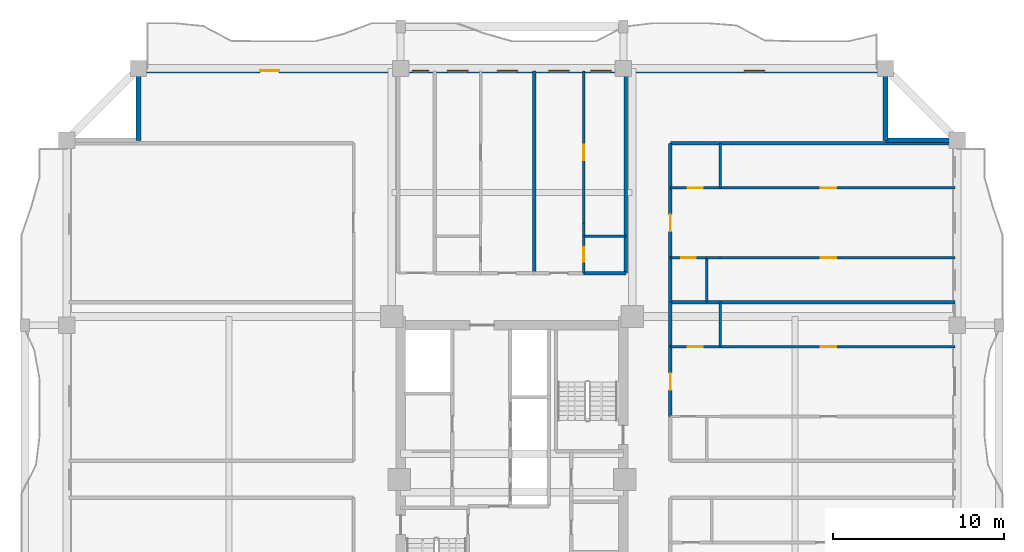
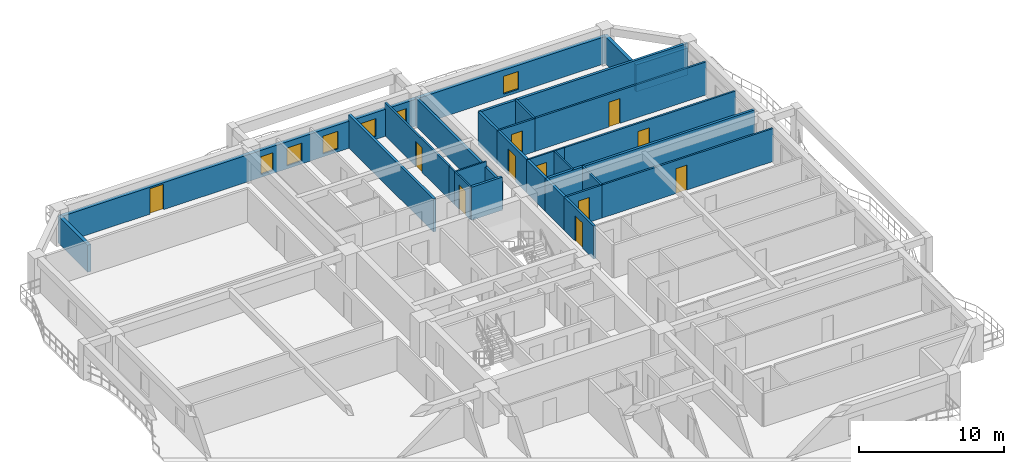
# One storey, part 6 of 12: 28 walls, 11 doors, 6 windows, 17 openings.
"""IFC4 building model written with IfcOpenShell, lengths in metres."""

import ifcopenshell
import ifcopenshell.guid

model = None  # the IFC model being written
_history = None  # IfcOwnerHistory: only IFC2X3 demands one
_inside = {}  # id of a spatial element -> (the spatial element, [elements in it])
_under = {}  # id of a project, library or spatial element -> (it, [spatial elements below it])
_declared = {}  # id of a project -> (the project, [libraries it declares])
_typed = {}  # id of a type object -> (the type object, [elements of that type])
_made_of = {}  # id of a material, layer set ... -> (it, [elements and type objects made of it])


def new_model(schema):
    """Start an empty IFC model of exactly this schema.

    Asked for "IFC4X3", IfcOpenShell would pick the latest addendum, in which some entities
    have other attributes; the version numbers below select the first issue.
    IFC2X3 requires an IfcOwnerHistory on every rooted entity: one is made here for all.
    """
    global model, _history
    if schema == "IFC4X3":
        model = ifcopenshell.file(schema_version=(4, 3, 0, 0))
    else:
        model = ifcopenshell.file(schema=schema)
    _inside.clear()
    _under.clear()
    _declared.clear()
    _typed.clear()
    _made_of.clear()
    _history = None
    if model.schema == "IFC2X3":
        org = make("IfcOrganization", Name="unknown")
        user = make(
            "IfcPersonAndOrganization",
            ThePerson=make("IfcPerson", FamilyName="unknown"),
            TheOrganization=org,
        )
        app = make(
            "IfcApplication",
            ApplicationDeveloper=org,
            Version="unknown",
            ApplicationFullName="unknown",
            ApplicationIdentifier="unknown",
        )
        _history = make(
            "IfcOwnerHistory",
            OwningUser=user,
            OwningApplication=app,
            ChangeAction="ADDED",
            CreationDate=0,
        )
    return model


def make(cls, **values):
    """One entity of the class cls with the attributes given. An attribute that is None is left unset."""
    return model.create_entity(
        cls, **{name: value for name, value in values.items() if value is not None}
    )


def rooted(cls, **values):
    """An entity with a GlobalId (a new one), such as an element, a storey or a relation."""
    return make(cls, GlobalId=ifcopenshell.guid.new(), OwnerHistory=_history, **values)


def si_unit(unit_type, name, prefix=None):
    """IfcSIUnit, for example si_unit("LENGTHUNIT", "METRE", prefix="MILLI")."""
    return make("IfcSIUnit", UnitType=unit_type, Prefix=prefix, Name=name)


def assignment(units):
    """IfcUnitAssignment: the units of a project."""
    return None if units is None else make("IfcUnitAssignment", Units=units)


def point(xyz):
    """IfcCartesianPoint."""
    return None if xyz is None else make("IfcCartesianPoint", Coordinates=xyz)


def direction(xyz):
    """IfcDirection."""
    return None if xyz is None else make("IfcDirection", DirectionRatios=xyz)


def frame(location, z_axis=None, x_axis=None):
    """IfcAxis2Placement3D, a coordinate frame: its origin and axes. An axis left out is left unset."""
    return make(
        "IfcAxis2Placement3D",
        Location=point(location),
        Axis=direction(z_axis),
        RefDirection=direction(x_axis),
    )


def frame_2d(location, x_axis=None):
    """IfcAxis2Placement2D, a coordinate frame in the plane: its origin and x axis."""
    return make(
        "IfcAxis2Placement2D", Location=point(location), RefDirection=direction(x_axis)
    )


def origin():
    """The frame at (0, 0, 0) with its axes left unset."""
    return frame((0.0, 0.0, 0.0))


def place(relative_to, where):
    """IfcLocalPlacement: puts the frame where relative to a parent placement (None: the world)."""
    return make(
        "IfcLocalPlacement", PlacementRelTo=relative_to, RelativePlacement=where
    )


def context(
    kind, dimensions, precision=None, world=None, true_north=None, identifier=None
):
    """IfcGeometricRepresentationContext, for example the 3D "Model" context."""
    return make(
        "IfcGeometricRepresentationContext",
        ContextIdentifier=identifier,
        ContextType=kind,
        CoordinateSpaceDimension=dimensions,
        Precision=precision,
        WorldCoordinateSystem=world,
        TrueNorth=true_north,
    )


def subcontext(parent, identifier, kind, view, scale=None):
    """IfcGeometricRepresentationSubContext, for example "Body" below "Model"."""
    return make(
        "IfcGeometricRepresentationSubContext",
        ContextIdentifier=identifier,
        ContextType=kind,
        ParentContext=parent,
        TargetScale=scale,
        TargetView=view,
    )


def project(units=None, contexts=None):
    """IfcProject with its units and contexts."""
    return rooted(
        "IfcProject",
        Name="project",
        RepresentationContexts=contexts,
        UnitsInContext=assignment(units),
    )


def spatial(cls, under=None, at=None, **own):
    """A site, building, storey or space (cls), placed at a placement, below another one or the project."""
    s = rooted(cls, ObjectPlacement=at, **own)
    if under is not None:
        _under.setdefault(under.id(), (under, []))[1].append(s)
    return s


def profile(cls, at=None, kind="AREA", **sizes):
    """A parametric profile (cls). Its sizes go by their IFC names, for example OverallWidth=200.0."""
    return make(cls, ProfileType=kind, Position=at, **sizes)


def rectangle(**sizes):
    """IfcRectangleProfileDef."""
    return profile("IfcRectangleProfileDef", **sizes)


def extrude(swept, where, along, depth):
    """IfcExtrudedAreaSolid: the profile swept, set in the frame where, extruded along a direction by depth."""
    return make(
        "IfcExtrudedAreaSolid",
        SweptArea=swept,
        Position=where,
        ExtrudedDirection=direction(along),
        Depth=depth,
    )


def shape(context_of_items, identifier, shape_type, items):
    """IfcShapeRepresentation: the items that make up one representation, for example the "Body"."""
    return make(
        "IfcShapeRepresentation",
        ContextOfItems=context_of_items,
        RepresentationIdentifier=identifier,
        RepresentationType=shape_type,
        Items=items,
    )


def source(mapping_origin, context_of_items, identifier, shape_type, items):
    """IfcRepresentationMap: a shape defined once, which mapped items show again and again."""
    return make(
        "IfcRepresentationMap",
        MappingOrigin=mapping_origin,
        MappedRepresentation=shape(context_of_items, identifier, shape_type, items),
    )


def transform(
    local_origin,
    x_axis=None,
    y_axis=None,
    z_axis=None,
    scale=None,
    scale2=None,
    scale3=None,
    uniform=True,
):
    """IfcCartesianTransformationOperator3D, or its non-uniform kind. x_axis, y_axis, z_axis: its Axis1, 2, 3."""
    if uniform:
        return make(
            "IfcCartesianTransformationOperator3D",
            Axis1=direction(x_axis),
            Axis2=direction(y_axis),
            LocalOrigin=point(local_origin),
            Scale=scale,
            Axis3=direction(z_axis),
        )
    return make(
        "IfcCartesianTransformationOperator3DnonUniform",
        Axis1=direction(x_axis),
        Axis2=direction(y_axis),
        LocalOrigin=point(local_origin),
        Scale=scale,
        Axis3=direction(z_axis),
        Scale2=scale2,
        Scale3=scale3,
    )


def mapped(mapping_source, mapping_target):
    """IfcMappedItem: shows the shape of a source again, moved by a transform."""
    return make(
        "IfcMappedItem", MappingSource=mapping_source, MappingTarget=mapping_target
    )


def material(Name=None, Category=None):
    """IfcMaterial."""
    return make("IfcMaterial", Name=Name, Category=Category)


def layer(
    of_material, thickness, ventilated=None, Name=None, Category=None, Priority=None
):
    """IfcMaterialLayer: one layer of a wall or slab, of a material (None: an air gap)."""
    return make(
        "IfcMaterialLayer",
        Material=of_material,
        LayerThickness=thickness,
        IsVentilated=ventilated,
        Name=Name,
        Category=Category,
        Priority=Priority,
    )


def layer_set(layers, Name=None):
    """IfcMaterialLayerSet."""
    return make("IfcMaterialLayerSet", MaterialLayers=layers, LayerSetName=Name)


def made_of(thing, what):
    """Note that an element or type object is made of a material, layer set ...; save() writes the relation."""
    if what is not None:
        _made_of.setdefault(what.id(), (what, []))[1].append(thing)
    return thing


def type_object(cls, material=None, **own):
    """A type object (cls), such as IfcWallType, which elements share."""
    return made_of(rooted(cls, **own), material)


def element(
    cls,
    number,
    at=None,
    inside=None,
    cuts=None,
    type_object=None,
    material=None,
    context=None,
    identifier="Body",
    shape_type=None,
    held_by="IfcProductDefinitionShape",
    body=None,
    shapes=None,
    **own,
):
    """One element of the class cls, such as IfcWall. Its Tag is "e" and its number.

    at: its placement. inside: the storey or other place that contains it. cuts: it is an
    opening in that element (IfcRelVoidsElement). A single representation is given by context,
    identifier, shape_type and body (its items); several are given by shapes. held_by: the class
    of the entity that holds the representations. save() writes the other relations.
    """
    e = rooted(cls, Tag="e%d" % number, ObjectPlacement=at, **own)
    if body is not None:
        shapes = [shape(context, identifier, shape_type, body)]
    if shapes is not None:
        e.Representation = make(held_by, Representations=shapes)
    if inside is not None:
        _inside.setdefault(inside.id(), (inside, []))[1].append(e)
    if cuts is not None:
        rooted(
            "IfcRelVoidsElement", RelatingBuildingElement=cuts, RelatedOpeningElement=e
        )
    if type_object is not None:
        _typed.setdefault(type_object.id(), (type_object, []))[1].append(e)
    return made_of(e, material)


def fill(opening, filler):
    """IfcRelFillsElement: the door or window that sits in an opening."""
    return rooted(
        "IfcRelFillsElement",
        RelatingOpeningElement=opening,
        RelatedBuildingElement=filler,
    )


def aggregate(whole, parts):
    """IfcRelAggregates: a whole, such as a stair, and the parts it consists of."""
    return rooted("IfcRelAggregates", RelatingObject=whole, RelatedObjects=parts)


def save(model, path):
    """Write the relations noted so far, then the file.

    IfcRelAggregates (storeys below a building ...), IfcRelContainedInSpatialStructure (elements
    in a storey), IfcRelDefinesByType, IfcRelAssociatesMaterial and IfcRelDeclares: one each for
    every whole, place, type object, material and project.
    """
    for whole, parts in _under.values():
        aggregate(whole, parts)
    for where, things in _inside.values():
        rooted(
            "IfcRelContainedInSpatialStructure",
            RelatedElements=things,
            RelatingStructure=where,
        )
    for kind, things in _typed.values():
        rooted("IfcRelDefinesByType", RelatedObjects=things, RelatingType=kind)
    for what, things in _made_of.values():
        rooted("IfcRelAssociatesMaterial", RelatedObjects=things, RelatingMaterial=what)
    for by, libraries in _declared.values():
        rooted("IfcRelDeclares", RelatingContext=by, RelatedDefinitions=libraries)
    model.write(path)


model = new_model("IFC4")

# Units and contexts
model_context = context("Model", 3, precision=1e-05, world=origin(), true_north=direction((0.0, 1.0)))
body_context = subcontext(model_context, "Body", "Model", "MODEL_VIEW")
ifc_project = project(units=[si_unit("LENGTHUNIT", "METRE"), si_unit("AREAUNIT", "SQUARE_METRE"), si_unit("VOLUMEUNIT", "CUBIC_METRE"), si_unit("PLANEANGLEUNIT", "RADIAN"), si_unit("MASSUNIT", "GRAM", prefix="KILO")], contexts=[model_context])

# Site, building, storey
site_placement = place(None, origin())
site = spatial("IfcSite", under=ifc_project, at=site_placement, CompositionType="ELEMENT")
building_placement = place(site_placement, origin())
building = spatial("IfcBuilding", under=site, at=building_placement, Name="Saelheon Loggia Tower", CompositionType="ELEMENT")
storey_placement = place(building_placement, frame((0.0, 0.0, 95.85009765625)))
storey = spatial("IfcBuildingStorey", under=building, at=storey_placement, Name="L30", CompositionType="ELEMENT", Elevation=95.85009765625)

# Wall, openings, windows, door
ifc_material_1 = material(Name="Architectural Precast Concrete C40/50", Category="concrete")
ifc_layer_1 = layer(ifc_material_1, 0.280029296875)
ifc_layer_set_1 = layer_set([ifc_layer_1], Name="Architectural Precast Concrete C40/50")
wall_type_1 = type_object("IfcWallType", Name="Wall_Ext_Loggia_280", PredefinedType="SOLIDWALL", material=ifc_layer_set_1)
wall_1_placement = place(storey_placement, frame((16.199951171875, 50.860107421875, 0.0), z_axis=(0.0, 0.0, 1.0), x_axis=(1.0, 0.0, 0.0)))
wall_1 = element("IfcWall", 1, at=wall_1_placement, inside=storey, type_object=wall_type_1, Name="L30 North Loggia Inner Wall", PredefinedType="SOLIDWALL", context=body_context, shape_type="SweptSolid", body=[
    extrude(rectangle(XDim=43.60009765625, YDim=0.280029296875, at=frame_2d((21.800048828125, 0.0))), origin(), (0.0, 0.0, 1.0), 2.27978515625),
])
opening_1_placement = place(wall_1_placement, frame((7.10009765625, 0.0, 0.0)))
opening_1 = element("IfcOpeningElement", 2, at=opening_1_placement, cuts=wall_1, Name="Opening TD1", PredefinedType="OPENING", context=body_context, shape_type="SweptSolid", body=[
    extrude(rectangle(XDim=1.10009765625, YDim=2.14990234375, at=frame_2d((0.550048828125, 1.074951171875))), frame((0.0, 0.152099609375, 0.0), z_axis=(0.0, -1.0, 0.0), x_axis=(1.0, 0.0, 0.0)), (0.0, 0.0, 1.0), 0.303955078125),
])
opening_2_placement = place(wall_1_placement, frame((15.982421875, 0.0, 0.25)))
opening_2 = element("IfcOpeningElement", 3, at=opening_2_placement, cuts=wall_1, Name="Opening WN-04", PredefinedType="OPENING", context=body_context, shape_type="SweptSolid", body=[
    extrude(rectangle(XDim=0.949951171875, YDim=1.5, at=frame_2d((0.47509765625, 0.75))), frame((0.0, 0.152099609375, 0.0), z_axis=(0.0, -1.0, 0.0), x_axis=(1.0, 0.0, 0.0)), (0.0, 0.0, 1.0), 0.303955078125),
])
opening_3_placement = place(wall_1_placement, frame((18.033447265625, 0.0, 0.25)))
opening_3 = element("IfcOpeningElement", 4, at=opening_3_placement, cuts=wall_1, Name="Opening WN-03", PredefinedType="OPENING", context=body_context, shape_type="SweptSolid", body=[
    extrude(rectangle(XDim=1.199951171875, YDim=1.5, at=frame_2d((0.60009765625, 0.75))), frame((0.0, 0.152099609375, 0.0), z_axis=(0.0, -1.0, 0.0), x_axis=(1.0, 0.0, 0.0)), (0.0, 0.0, 1.0), 0.303955078125),
])
opening_4_placement = place(wall_1_placement, frame((20.9326171875, 0.0, 0.25)))
opening_4 = element("IfcOpeningElement", 5, at=opening_4_placement, cuts=wall_1, Name="Opening WN-03", PredefinedType="OPENING", context=body_context, shape_type="SweptSolid", body=[
    extrude(rectangle(XDim=1.199951171875, YDim=1.5, at=frame_2d((0.60009765625, 0.75))), frame((0.0, 0.152099609375, 0.0), z_axis=(0.0, -1.0, 0.0), x_axis=(1.0, 0.0, 0.0)), (0.0, 0.0, 1.0), 0.303955078125),
])
opening_5_placement = place(wall_1_placement, frame((23.943115234375, 0.0, 0.25)))
opening_5 = element("IfcOpeningElement", 6, at=opening_5_placement, cuts=wall_1, Name="Opening WN-03", PredefinedType="OPENING", context=body_context, shape_type="SweptSolid", body=[
    extrude(rectangle(XDim=1.199951171875, YDim=1.5, at=frame_2d((0.60009765625, 0.75))), frame((0.0, 0.152099609375, 0.0), z_axis=(0.0, -1.0, 0.0), x_axis=(1.0, 0.0, 0.0)), (0.0, 0.0, 1.0), 0.303955078125),
])
opening_6_placement = place(wall_1_placement, frame((26.386474609375, 0.0, 0.25)))
opening_6 = element("IfcOpeningElement", 7, at=opening_6_placement, cuts=wall_1, Name="Opening WN-03", PredefinedType="OPENING", context=body_context, shape_type="SweptSolid", body=[
    extrude(rectangle(XDim=1.199951171875, YDim=1.5, at=frame_2d((0.60009765625, 0.75))), frame((0.0, 0.152099609375, 0.0), z_axis=(0.0, -1.0, 0.0), x_axis=(1.0, 0.0, 0.0)), (0.0, 0.0, 1.0), 0.303955078125),
])
opening_7_placement = place(wall_1_placement, frame((35.35009765625, 0.0, 0.25)))
opening_7 = element("IfcOpeningElement", 8, at=opening_7_placement, cuts=wall_1, Name="Opening WN-03", PredefinedType="OPENING", context=body_context, shape_type="SweptSolid", body=[
    extrude(rectangle(XDim=1.199951171875, YDim=1.5, at=frame_2d((0.60009765625, 0.75))), frame((0.0, 0.152099609375, 0.0), z_axis=(0.0, -1.0, 0.0), x_axis=(1.0, 0.0, 0.0)), (0.0, 0.0, 1.0), 0.303955078125),
])
ifc_material_2 = material(Name="Thermal-Break Aluminium and Triple Low-E Glass", Category="aluminium")
window_type_1 = type_object("IfcWindowType", Name="Win_Bedroom_1200x1500", PartitioningType="SINGLE_PANEL", PredefinedType="WINDOW", material=ifc_material_2)
shared_shape_1 = source(origin(), body_context, "Body", "SweptSolid", [
    extrude(rectangle(XDim=1.199951171875, YDim=1.5, at=frame_2d((0.60009765625, 0.75))), frame((0.0, 0.030029296875, 0.0), z_axis=(0.0, -1.0, 0.0), x_axis=(1.0, 0.0, 0.0)), (0.0, 0.0, 1.0), 0.06005859375),
])
window_1_placement = place(opening_3_placement, origin())
window_1 = element("IfcWindow", 9, at=window_1_placement, inside=storey, type_object=window_type_1, Name="L30 N Dwelling Window 3", OverallHeight=1.5, OverallWidth=1.199951171875, PartitioningType="SINGLE_PANEL", PredefinedType="WINDOW", context=body_context, shape_type="MappedRepresentation", body=[
    mapped(shared_shape_1, transform((0.0, 0.0, 0.0), scale=1.0)),
])
fill(opening_3, window_1)
window_2_placement = place(opening_4_placement, origin())
window_2 = element("IfcWindow", 10, at=window_2_placement, inside=storey, type_object=window_type_1, Name="L30 N Dwelling Window 4", OverallHeight=1.5, OverallWidth=1.199951171875, PartitioningType="SINGLE_PANEL", PredefinedType="WINDOW", context=body_context, shape_type="MappedRepresentation", body=[
    mapped(shared_shape_1, transform((0.0, 0.0, 0.0), scale=1.0)),
])
fill(opening_4, window_2)
window_3_placement = place(opening_5_placement, origin())
window_3 = element("IfcWindow", 11, at=window_3_placement, inside=storey, type_object=window_type_1, Name="L30 N Dwelling Window 5", OverallHeight=1.5, OverallWidth=1.199951171875, PartitioningType="SINGLE_PANEL", PredefinedType="WINDOW", context=body_context, shape_type="MappedRepresentation", body=[
    mapped(shared_shape_1, transform((0.0, 0.0, 0.0), scale=1.0)),
])
fill(opening_5, window_3)
window_4_placement = place(opening_6_placement, origin())
window_4 = element("IfcWindow", 12, at=window_4_placement, inside=storey, type_object=window_type_1, Name="L30 N Dwelling Window 6", OverallHeight=1.5, OverallWidth=1.199951171875, PartitioningType="SINGLE_PANEL", PredefinedType="WINDOW", context=body_context, shape_type="MappedRepresentation", body=[
    mapped(shared_shape_1, transform((0.0, 0.0, 0.0), scale=1.0)),
])
fill(opening_6, window_4)
window_5_placement = place(opening_7_placement, origin())
window_5 = element("IfcWindow", 13, at=window_5_placement, inside=storey, type_object=window_type_1, Name="L30 N Dwelling Window 7", OverallHeight=1.5, OverallWidth=1.199951171875, PartitioningType="SINGLE_PANEL", PredefinedType="WINDOW", context=body_context, shape_type="MappedRepresentation", body=[
    mapped(shared_shape_1, transform((0.0, 0.0, 0.0), scale=1.0)),
])
fill(opening_7, window_5)
ifc_material_3 = material(Name="Thermal-Break Aluminium Glazed Door", Category="aluminium")
door_type_1 = type_object("IfcDoorType", Name="Door_Terrace_TD1", OperationType="NOTDEFINED", PredefinedType="DOOR", material=ifc_material_3)
shared_shape_2 = source(origin(), body_context, "Body", "SweptSolid", [
    extrude(rectangle(XDim=1.10009765625, YDim=2.14990234375, at=frame_2d((0.550048828125, 1.074951171875))), frame((0.0, 0.02490234375, 0.0), z_axis=(0.0, -1.0, 0.0), x_axis=(1.0, 0.0, 0.0)), (0.0, 0.0, 1.0), 0.050048828125),
])
door_1_placement = place(opening_1_placement, origin())
door_1 = element("IfcDoor", 14, at=door_1_placement, inside=storey, type_object=door_type_1, Name="L30 N Loggia Access Door", OperationType="SINGLE_SWING_LEFT", OverallHeight=2.14990234375, OverallWidth=1.10009765625, PredefinedType="DOOR", context=body_context, shape_type="MappedRepresentation", body=[
    mapped(shared_shape_2, transform((0.0, 0.0, 0.0), scale=1.0)),
])
fill(opening_1, door_1)
window_type_2 = type_object("IfcWindowType", Name="Win_Narrow_950x1500", PartitioningType="SINGLE_PANEL", PredefinedType="WINDOW", material=ifc_material_2)
shared_shape_3 = source(origin(), body_context, "Body", "SweptSolid", [
    extrude(rectangle(XDim=0.949951171875, YDim=1.5, at=frame_2d((0.47509765625, 0.75))), frame((0.0, 0.030029296875, 0.0), z_axis=(0.0, -1.0, 0.0), x_axis=(1.0, 0.0, 0.0)), (0.0, 0.0, 1.0), 0.06005859375),
])
window_6_placement = place(opening_2_placement, origin())
window_6 = element("IfcWindow", 15, at=window_6_placement, inside=storey, type_object=window_type_2, Name="L30 N Dwelling Window 2", OverallHeight=1.5, OverallWidth=0.949951171875, PartitioningType="SINGLE_PANEL", PredefinedType="WINDOW", context=body_context, shape_type="MappedRepresentation", body=[
    mapped(shared_shape_3, transform((0.0, 0.0, 0.0), scale=1.0)),
])
fill(opening_2, window_6)

# Walls
for number, where, z_axis, x_axis, name in (
    (16, (16.199951171875, 46.800048828125, 0.0), (0.0, 0.0, 1.0), (0.0, 1.0, 0.0), "L30 Corner Notch Precast Wall NW1"),
    (17, (59.800048828125, 46.800048828125, 0.0), (0.0, 0.0, 1.0), (0.0, 1.0, 0.0), "L30 Corner Notch Precast Wall NE1"),
    (18, (59.800048828125, 46.800048828125, 0.0), (0.0, 0.0, 1.0), (1.0, 0.0, 0.0), "L30 Corner Notch Precast Wall NE2"),
):
    element("IfcWall", number, at=place(storey_placement, frame(where, z_axis=z_axis, x_axis=x_axis)), inside=storey, type_object=wall_type_1, Name=name, PredefinedType="SOLIDWALL", context=body_context, shape_type="SweptSolid", body=[
        extrude(rectangle(XDim=4.119873046875, YDim=0.280029296875, at=frame_2d((2.06005859375, 0.0))), origin(), (0.0, 0.0, 1.0), 2.27978515625),
    ])

# Wall, opening, door
ifc_material_4 = material(Name="Lightweight Autoclaved Aerated Concrete Block and Acoustic Gypsum", Category="concrete")
ifc_layer_2 = layer(ifc_material_4, 0.14990234375)
ifc_layer_set_2 = layer_set([ifc_layer_2], Name="Lightweight Autoclaved Aerated Concrete Block and Acoustic Gypsum")
wall_type_2 = type_object("IfcWallType", Name="Wall_Part_150", PredefinedType="PARTITIONING", material=ifc_layer_set_2)
wall_2_placement = place(storey_placement, frame((42.18798828125, 41.949951171875, 0.0), z_axis=(0.0, 0.0, 1.0), x_axis=(0.0, 1.0, 0.0)))
wall_2 = element("IfcWall", 19, at=wall_2_placement, inside=storey, type_object=wall_type_2, Name="L30 N Partition U17", PredefinedType="PARTITIONING", context=body_context, shape_type="SweptSolid", body=[
    extrude(rectangle(XDim=8.900146484375, YDim=0.14990234375, at=frame_2d((4.4501953125, 0.0))), origin(), (0.0, 0.0, 1.0), 2.789794921875),
])
opening_8_placement = place(wall_2_placement, frame((3.686767578125, 0.0, 0.0)))
opening_8 = element("IfcOpeningElement", 20, at=opening_8_placement, cuts=wall_2, Name="Opening D-IN2", PredefinedType="OPENING", context=body_context, shape_type="SweptSolid", body=[
    extrude(rectangle(XDim=0.89990234375, YDim=2.10009765625, at=frame_2d((0.449951171875, 1.050048828125))), frame((0.0, 0.0869140625, 0.0), z_axis=(0.0, -1.0, 0.0), x_axis=(1.0, 0.0, 0.0)), (0.0, 0.0, 1.0), 0.173828125),
])
ifc_material_5 = material(Name="Engineered Oak Flush Door", Category="timber")
door_type_2 = type_object("IfcDoorType", Name="Door_Int_900", OperationType="NOTDEFINED", PredefinedType="DOOR", material=ifc_material_5)
shared_shape_4 = source(origin(), body_context, "Body", "SweptSolid", [
    extrude(rectangle(XDim=0.89990234375, YDim=2.10009765625, at=frame_2d((0.449951171875, 1.050048828125))), frame((0.0, 0.02490234375, 0.0), z_axis=(0.0, -1.0, 0.0), x_axis=(1.0, 0.0, 0.0)), (0.0, 0.0, 1.0), 0.050048828125),
])
door_2_placement = place(opening_8_placement, origin())
door_2 = element("IfcDoor", 21, at=door_2_placement, inside=storey, type_object=door_type_2, Name="Unit U03 Kitchen Door", OperationType="SINGLE_SWING_LEFT", OverallHeight=2.10009765625, OverallWidth=0.89990234375, PredefinedType="DOOR", context=body_context, shape_type="MappedRepresentation", body=[
    mapped(shared_shape_4, transform((0.0, 0.0, 0.0), scale=1.0)),
])
fill(opening_8, door_2)

# Wall
wall_3_placement = place(storey_placement, frame((50.14990234375, 34.75, 0.0), z_axis=(0.0, 0.0, 1.0), x_axis=(0.0, 1.0, 0.0)))
element("IfcWall", 22, at=wall_3_placement, inside=storey, type_object=wall_type_2, Name="L30 EN Partition V07", PredefinedType="PARTITIONING", context=body_context, shape_type="SweptSolid", body=[
    extrude(rectangle(XDim=2.60009765625, YDim=0.14990234375, at=frame_2d((1.300048828125, 0.0))), origin(), (0.0, 0.0, 1.0), 2.789794921875),
])

# Wall, opening, door
wall_4_placement = place(storey_placement, frame((47.25, 34.75, 0.0), z_axis=(0.0, 0.0, 1.0), x_axis=(1.0, 0.0, 0.0)))
wall_4 = element("IfcWall", 23, at=wall_4_placement, inside=storey, type_object=wall_type_2, Name="L30 EN Partition U11", PredefinedType="PARTITIONING", context=body_context, shape_type="SweptSolid", body=[
    extrude(rectangle(XDim=2.89990234375, YDim=0.14990234375, at=frame_2d((1.449951171875, 0.0))), origin(), (0.0, 0.0, 1.0), 2.789794921875),
])
opening_9_placement = place(wall_4_placement, frame((1.0, 0.0, 0.0)))
opening_9 = element("IfcOpeningElement", 24, at=opening_9_placement, cuts=wall_4, Name="Opening D-IN2", PredefinedType="OPENING", context=body_context, shape_type="SweptSolid", body=[
    extrude(rectangle(XDim=0.89990234375, YDim=2.10009765625, at=frame_2d((0.449951171875, 1.050048828125))), frame((0.0, 0.0869140625, 0.0), z_axis=(0.0, -1.0, 0.0), x_axis=(1.0, 0.0, 0.0)), (0.0, 0.0, 1.0), 0.173828125),
])
door_3_placement = place(opening_9_placement, origin())
door_3 = element("IfcDoor", 25, at=door_3_placement, inside=storey, type_object=door_type_2, Name="Unit U06 Dressing Closet Door", OperationType="SINGLE_SWING_LEFT", OverallHeight=2.10009765625, OverallWidth=0.89990234375, PredefinedType="DOOR", context=body_context, shape_type="MappedRepresentation", body=[
    mapped(shared_shape_4, transform((0.0, 0.0, 0.0), scale=1.0)),
])
fill(opening_9, door_3)

wall_5_placement = place(storey_placement, frame((50.14990234375, 34.75, 0.0), z_axis=(0.0, 0.0, 1.0), x_axis=(1.0, 0.0, 0.0)))
wall_5 = element("IfcWall", 26, at=wall_5_placement, inside=storey, type_object=wall_type_2, Name="L30 EN Partition U12", PredefinedType="PARTITIONING", context=body_context, shape_type="SweptSolid", body=[
    extrude(rectangle(XDim=13.7001953125, YDim=0.14990234375, at=frame_2d((6.85009765625, 0.0))), origin(), (0.0, 0.0, 1.0), 2.789794921875),
])
opening_10_placement = place(wall_5_placement, frame((5.88671875, 0.0, 0.0)))
opening_10 = element("IfcOpeningElement", 27, at=opening_10_placement, cuts=wall_5, Name="Opening D-IN2", PredefinedType="OPENING", context=body_context, shape_type="SweptSolid", body=[
    extrude(rectangle(XDim=0.89990234375, YDim=2.10009765625, at=frame_2d((0.449951171875, 1.050048828125))), frame((0.0, 0.0869140625, 0.0), z_axis=(0.0, -1.0, 0.0), x_axis=(1.0, 0.0, 0.0)), (0.0, 0.0, 1.0), 0.173828125),
])
door_4_placement = place(opening_10_placement, origin())
door_4 = element("IfcDoor", 28, at=door_4_placement, inside=storey, type_object=door_type_2, Name="Unit U06 Bedroom 1 Door", OperationType="SINGLE_SWING_RIGHT", OverallHeight=2.10009765625, OverallWidth=0.89990234375, PredefinedType="DOOR", context=body_context, shape_type="MappedRepresentation", body=[
    mapped(shared_shape_4, transform((0.0, 0.0, 0.0), scale=1.0)),
])
fill(opening_10, door_4)

# Wall
wall_6_placement = place(storey_placement, frame((50.14990234375, 44.02001953125, 0.0), z_axis=(0.0, 0.0, 1.0), x_axis=(0.0, 1.0, 0.0)))
element("IfcWall", 29, at=wall_6_placement, inside=storey, type_object=wall_type_2, Name="L30 EN Partition V18", PredefinedType="PARTITIONING", context=body_context, shape_type="SweptSolid", body=[
    extrude(rectangle(XDim=2.60009765625, YDim=0.14990234375, at=frame_2d((1.300048828125, 0.0))), origin(), (0.0, 0.0, 1.0), 2.789794921875),
])

# Wall, opening, door
wall_7_placement = place(storey_placement, frame((50.14990234375, 39.945556640625, 0.0), z_axis=(0.0, 0.0, 1.0), x_axis=(1.0, 0.0, 0.0)))
wall_7 = element("IfcWall", 30, at=wall_7_placement, inside=storey, type_object=wall_type_2, Name="L30 EN Partition U21", PredefinedType="PARTITIONING", context=body_context, shape_type="SweptSolid", body=[
    extrude(rectangle(XDim=13.7001953125, YDim=0.14990234375, at=frame_2d((6.85009765625, 0.0))), origin(), (0.0, 0.0, 1.0), 2.789794921875),
])
opening_11_placement = place(wall_7_placement, frame((5.88671875, 0.0, 0.0)))
opening_11 = element("IfcOpeningElement", 31, at=opening_11_placement, cuts=wall_7, Name="Opening D-IN2", PredefinedType="OPENING", context=body_context, shape_type="SweptSolid", body=[
    extrude(rectangle(XDim=0.89990234375, YDim=2.10009765625, at=frame_2d((0.449951171875, 1.050048828125))), frame((0.0, 0.0869140625, 0.0), z_axis=(0.0, -1.0, 0.0), x_axis=(1.0, 0.0, 0.0)), (0.0, 0.0, 1.0), 0.173828125),
])
door_5_placement = place(opening_11_placement, origin())
door_5 = element("IfcDoor", 32, at=door_5_placement, inside=storey, type_object=door_type_2, Name="Unit U07 Kitchen Door", OperationType="SINGLE_SWING_LEFT", OverallHeight=2.10009765625, OverallWidth=0.89990234375, PredefinedType="DOOR", context=body_context, shape_type="MappedRepresentation", body=[
    mapped(shared_shape_4, transform((0.0, 0.0, 0.0), scale=1.0)),
])
fill(opening_11, door_5)

wall_8_placement = place(storey_placement, frame((47.25, 44.02001953125, 0.0), z_axis=(0.0, 0.0, 1.0), x_axis=(1.0, 0.0, 0.0)))
wall_8 = element("IfcWall", 33, at=wall_8_placement, inside=storey, type_object=wall_type_2, Name="L30 EN Partition U22", PredefinedType="PARTITIONING", context=body_context, shape_type="SweptSolid", body=[
    extrude(rectangle(XDim=2.89990234375, YDim=0.14990234375, at=frame_2d((1.449951171875, 0.0))), origin(), (0.0, 0.0, 1.0), 2.789794921875),
])
opening_12_placement = place(wall_8_placement, frame((1.0, 0.0, 0.0)))
opening_12 = element("IfcOpeningElement", 34, at=opening_12_placement, cuts=wall_8, Name="Opening D-IN2", PredefinedType="OPENING", context=body_context, shape_type="SweptSolid", body=[
    extrude(rectangle(XDim=0.89990234375, YDim=2.10009765625, at=frame_2d((0.449951171875, 1.050048828125))), frame((0.0, 0.0869140625, 0.0), z_axis=(0.0, -1.0, 0.0), x_axis=(1.0, 0.0, 0.0)), (0.0, 0.0, 1.0), 0.173828125),
])
door_6_placement = place(opening_12_placement, origin())
door_6 = element("IfcDoor", 35, at=door_6_placement, inside=storey, type_object=door_type_2, Name="Unit U07 Dressing Closet Door", OperationType="SINGLE_SWING_RIGHT", OverallHeight=2.10009765625, OverallWidth=0.89990234375, PredefinedType="DOOR", context=body_context, shape_type="MappedRepresentation", body=[
    mapped(shared_shape_4, transform((0.0, 0.0, 0.0), scale=1.0)),
])
fill(opening_12, door_6)

wall_9_placement = place(storey_placement, frame((50.14990234375, 44.02001953125, 0.0), z_axis=(0.0, 0.0, 1.0), x_axis=(1.0, 0.0, 0.0)))
wall_9 = element("IfcWall", 36, at=wall_9_placement, inside=storey, type_object=wall_type_2, Name="L30 EN Partition U23", PredefinedType="PARTITIONING", context=body_context, shape_type="SweptSolid", body=[
    extrude(rectangle(XDim=13.7001953125, YDim=0.14990234375, at=frame_2d((6.85009765625, 0.0))), origin(), (0.0, 0.0, 1.0), 2.789794921875),
])
opening_13_placement = place(wall_9_placement, frame((5.88671875, 0.0, 0.0)))
opening_13 = element("IfcOpeningElement", 37, at=opening_13_placement, cuts=wall_9, Name="Opening D-IN2", PredefinedType="OPENING", context=body_context, shape_type="SweptSolid", body=[
    extrude(rectangle(XDim=0.89990234375, YDim=2.10009765625, at=frame_2d((0.449951171875, 1.050048828125))), frame((0.0, 0.0869140625, 0.0), z_axis=(0.0, -1.0, 0.0), x_axis=(1.0, 0.0, 0.0)), (0.0, 0.0, 1.0), 0.173828125),
])
door_7_placement = place(opening_13_placement, origin())
door_7 = element("IfcDoor", 38, at=door_7_placement, inside=storey, type_object=door_type_2, Name="Unit U07 Bedroom 1 Door", OperationType="SINGLE_SWING_LEFT", OverallHeight=2.10009765625, OverallWidth=0.89990234375, PredefinedType="DOOR", context=body_context, shape_type="MappedRepresentation", body=[
    mapped(shared_shape_4, transform((0.0, 0.0, 0.0), scale=1.0)),
])
fill(opening_13, door_7)

# Walls
ifc_material_6 = material(Name="Double Acoustic Stud and Fireboard Partition", Category="gypsum")
ifc_layer_3 = layer(ifc_material_6, 0.199951171875)
ifc_layer_set_3 = layer_set([ifc_layer_3], Name="Double Acoustic Stud and Fireboard Partition")
wall_type_3 = type_object("IfcWallType", Name="Wall_Party_200", PredefinedType="PARTITIONING", material=ifc_layer_set_3)
wall_10_placement = place(storey_placement, frame((44.64990234375, 39.050048828125, 0.0), z_axis=(0.0, 0.0, 1.0), x_axis=(0.0, 1.0, 0.0)))
element("IfcWall", 39, at=wall_10_placement, inside=storey, type_object=wall_type_3, Name="L30 N Partition U02", PredefinedType="PARTITIONING", context=body_context, shape_type="SweptSolid", body=[
    extrude(rectangle(XDim=11.800048828125, YDim=0.199951171875, at=frame_2d((5.89990234375, 0.0))), origin(), (0.0, 0.0, 1.0), 2.33984375),
])
wall_11_placement = place(storey_placement, frame((39.298095703125, 39.050048828125, 0.0), z_axis=(0.0, 0.0, 1.0), x_axis=(0.0, 1.0, 0.0)))
element("IfcWall", 40, at=wall_11_placement, inside=storey, type_object=wall_type_3, Name="L30 N Partition U11", PredefinedType="PARTITIONING", context=body_context, shape_type="SweptSolid", body=[
    extrude(rectangle(XDim=11.800048828125, YDim=0.199951171875, at=frame_2d((5.89990234375, 0.0))), origin(), (0.0, 0.0, 1.0), 2.789794921875),
])
wall_12_placement = place(storey_placement, frame((42.18798828125, 39.050048828125, 0.0), z_axis=(0.0, 0.0, 1.0), x_axis=(1.0, 0.0, 0.0)))
element("IfcWall", 41, at=wall_12_placement, inside=storey, type_object=wall_type_3, Name="L30 N Partition V13", PredefinedType="PARTITIONING", context=body_context, shape_type="SweptSolid", body=[
    extrude(rectangle(XDim=2.4619140625, YDim=0.199951171875, at=frame_2d((1.23095703125, 0.0))), origin(), (0.0, 0.0, 1.0), 2.789794921875),
])
wall_13_placement = place(storey_placement, frame((47.25, 46.6201171875, 0.0), z_axis=(0.0, 0.0, 1.0), x_axis=(1.0, 0.0, 0.0)))
element("IfcWall", 42, at=wall_13_placement, inside=storey, type_object=wall_type_3, Name="L30 EN Partition U02", PredefinedType="PARTITIONING", context=body_context, shape_type="SweptSolid", body=[
    extrude(rectangle(XDim=16.60009765625, YDim=0.199951171875, at=frame_2d((8.300048828125, 0.0))), origin(), (0.0, 0.0, 1.0), 2.789794921875),
])

# Wall, opening, door
wall_14_placement = place(storey_placement, frame((47.25, 30.675537109375, 0.0), z_axis=(0.0, 0.0, 1.0), x_axis=(0.0, 1.0, 0.0)))
wall_14 = element("IfcWall", 43, at=wall_14_placement, inside=storey, type_object=wall_type_3, Name="L30 EN Partition V04", PredefinedType="PARTITIONING", context=body_context, shape_type="SweptSolid", body=[
    extrude(rectangle(XDim=4.074462890625, YDim=0.199951171875, at=frame_2d((2.037109375, 0.0))), origin(), (0.0, 0.0, 1.0), 2.789794921875),
])
opening_14_placement = place(wall_14_placement, frame((1.537109375, 0.0, 0.0)))
opening_14 = element("IfcOpeningElement", 44, at=opening_14_placement, cuts=wall_14, Name="Opening D-FD1", PredefinedType="OPENING", context=body_context, shape_type="SweptSolid", body=[
    extrude(rectangle(XDim=1.0, YDim=2.14990234375, at=frame_2d((0.5, 1.074951171875))), frame((0.0, 0.112060546875, 0.0), z_axis=(0.0, -1.0, 0.0), x_axis=(1.0, 0.0, 0.0)), (0.0, 0.0, 1.0), 0.223876953125),
])
ifc_material_7 = material(Name="Fire-Rated Engineered Timber Entrance Door", Category="wood")
door_type_3 = type_object("IfcDoorType", Name="Door_Flat_FD30S", OperationType="NOTDEFINED", PredefinedType="DOOR", material=ifc_material_7)
shared_shape_5 = source(origin(), body_context, "Body", "SweptSolid", [
    extrude(rectangle(XDim=1.0, YDim=2.14990234375, at=frame_2d((0.5, 1.074951171875))), frame((0.0, 0.02490234375, 0.0), z_axis=(0.0, -1.0, 0.0), x_axis=(1.0, 0.0, 0.0)), (0.0, 0.0, 1.0), 0.050048828125),
])
door_8_placement = place(opening_14_placement, origin())
door_8 = element("IfcDoor", 45, at=door_8_placement, inside=storey, type_object=door_type_3, Name="Unit U06 Entrance Door", OperationType="SINGLE_SWING_RIGHT", OverallHeight=2.14990234375, OverallWidth=1.0, PredefinedType="DOOR", context=body_context, shape_type="MappedRepresentation", body=[
    mapped(shared_shape_5, transform((0.0, 0.0, 0.0), scale=1.0)),
])
fill(opening_14, door_8)

# Walls
wall_15_placement = place(storey_placement, frame((47.25, 34.75, 0.0), z_axis=(0.0, 0.0, 1.0), x_axis=(0.0, 1.0, 0.0)))
element("IfcWall", 46, at=wall_15_placement, inside=storey, type_object=wall_type_3, Name="L30 EN Partition V05", PredefinedType="PARTITIONING", context=body_context, shape_type="SweptSolid", body=[
    extrude(rectangle(XDim=2.60009765625, YDim=0.199951171875, at=frame_2d((1.300048828125, 0.0))), origin(), (0.0, 0.0, 1.0), 2.789794921875),
])
wall_16_placement = place(storey_placement, frame((47.25, 37.35009765625, 0.0), z_axis=(0.0, 0.0, 1.0), x_axis=(1.0, 0.0, 0.0)))
element("IfcWall", 47, at=wall_16_placement, inside=storey, type_object=wall_type_3, Name="L30 EN Partition U13", PredefinedType="PARTITIONING", context=body_context, shape_type="SweptSolid", body=[
    extrude(rectangle(XDim=16.60009765625, YDim=0.199951171875, at=frame_2d((8.300048828125, 0.0))), origin(), (0.0, 0.0, 1.0), 2.789794921875),
])
wall_17_placement = place(storey_placement, frame((47.25, 37.35009765625, 0.0), z_axis=(0.0, 0.0, 1.0), x_axis=(0.0, 1.0, 0.0)))
element("IfcWall", 48, at=wall_17_placement, inside=storey, type_object=wall_type_3, Name="L30 EN Partition V14", PredefinedType="PARTITIONING", context=body_context, shape_type="SweptSolid", body=[
    extrude(rectangle(XDim=2.595458984375, YDim=0.199951171875, at=frame_2d((1.2978515625, 0.0))), origin(), (0.0, 0.0, 1.0), 2.789794921875),
])

# Wall, opening, door
wall_18_placement = place(storey_placement, frame((47.25, 39.945556640625, 0.0), z_axis=(0.0, 0.0, 1.0), x_axis=(0.0, 1.0, 0.0)))
wall_18 = element("IfcWall", 49, at=wall_18_placement, inside=storey, type_object=wall_type_3, Name="L30 EN Partition V15", PredefinedType="PARTITIONING", context=body_context, shape_type="SweptSolid", body=[
    extrude(rectangle(XDim=4.074462890625, YDim=0.199951171875, at=frame_2d((2.037109375, 0.0))), origin(), (0.0, 0.0, 1.0), 2.789794921875),
])
opening_15_placement = place(wall_18_placement, frame((1.537109375, 0.0, 0.0)))
opening_15 = element("IfcOpeningElement", 50, at=opening_15_placement, cuts=wall_18, Name="Opening D-FD1", PredefinedType="OPENING", context=body_context, shape_type="SweptSolid", body=[
    extrude(rectangle(XDim=1.0, YDim=2.14990234375, at=frame_2d((0.5, 1.074951171875))), frame((0.0, 0.112060546875, 0.0), z_axis=(0.0, -1.0, 0.0), x_axis=(1.0, 0.0, 0.0)), (0.0, 0.0, 1.0), 0.223876953125),
])
door_9_placement = place(opening_15_placement, origin())
door_9 = element("IfcDoor", 51, at=door_9_placement, inside=storey, type_object=door_type_3, Name="Unit U07 Entrance Door", OperationType="SINGLE_SWING_LEFT", OverallHeight=2.14990234375, OverallWidth=1.0, PredefinedType="DOOR", context=body_context, shape_type="MappedRepresentation", body=[
    mapped(shared_shape_5, transform((0.0, 0.0, 0.0), scale=1.0)),
])
fill(opening_15, door_9)

# Wall
wall_19_placement = place(storey_placement, frame((47.25, 44.02001953125, 0.0), z_axis=(0.0, 0.0, 1.0), x_axis=(0.0, 1.0, 0.0)))
element("IfcWall", 52, at=wall_19_placement, inside=storey, type_object=wall_type_3, Name="L30 EN Partition V16", PredefinedType="PARTITIONING", context=body_context, shape_type="SweptSolid", body=[
    extrude(rectangle(XDim=2.60009765625, YDim=0.199951171875, at=frame_2d((1.300048828125, 0.0))), origin(), (0.0, 0.0, 1.0), 2.789794921875),
])

# Wall, opening, door
ifc_material_8 = material(Name="Moisture-Resistant Cement Board Partition", Category="gypsum")
ifc_layer_4 = layer(ifc_material_8, 0.1201171875)
ifc_layer_set_4 = layer_set([ifc_layer_4], Name="Moisture-Resistant Cement Board Partition")
wall_type_4 = type_object("IfcWallType", Name="Wall_WetPart_120", PredefinedType="PARTITIONING", material=ifc_layer_set_4)
wall_20_placement = place(storey_placement, frame((42.18798828125, 39.050048828125, 0.0), z_axis=(0.0, 0.0, 1.0), x_axis=(0.0, 1.0, 0.0)))
wall_20 = element("IfcWall", 53, at=wall_20_placement, inside=storey, type_object=wall_type_4, Name="L30 N Partition U14", PredefinedType="PARTITIONING", context=body_context, shape_type="SweptSolid", body=[
    extrude(rectangle(XDim=2.14990234375, YDim=0.1201171875, at=frame_2d((1.074951171875, 0.0))), origin(), (0.0, 0.0, 1.0), 2.789794921875),
])
opening_16_placement = place(wall_20_placement, frame((0.64990234375, 0.0, 0.0)))
opening_16 = element("IfcOpeningElement", 54, at=opening_16_placement, cuts=wall_20, Name="Opening D-BT1", PredefinedType="OPENING", context=body_context, shape_type="SweptSolid", body=[
    extrude(rectangle(XDim=0.85009765625, YDim=2.050048828125, at=frame_2d((0.425048828125, 1.02490234375))), frame((0.0, 0.072021484375, 0.0), z_axis=(0.0, -1.0, 0.0), x_axis=(1.0, 0.0, 0.0)), (0.0, 0.0, 1.0), 0.14404296875),
])
ifc_material_9 = material(Name="Moisture-Resistant Laminate Timber Door", Category="wood")
door_type_4 = type_object("IfcDoorType", Name="Door_Bath_850", OperationType="NOTDEFINED", PredefinedType="DOOR", material=ifc_material_9)
shared_shape_6 = source(origin(), body_context, "Body", "SweptSolid", [
    extrude(rectangle(XDim=0.85009765625, YDim=2.050048828125, at=frame_2d((0.425048828125, 1.02490234375))), frame((0.0, 0.02490234375, 0.0), z_axis=(0.0, -1.0, 0.0), x_axis=(1.0, 0.0, 0.0)), (0.0, 0.0, 1.0), 0.050048828125),
])
door_10_placement = place(opening_16_placement, origin())
door_10 = element("IfcDoor", 55, at=door_10_placement, inside=storey, type_object=door_type_4, Name="Unit U03 Bathroom Door", OperationType="SINGLE_SWING_RIGHT", OverallHeight=2.050048828125, OverallWidth=0.85009765625, PredefinedType="DOOR", context=body_context, shape_type="MappedRepresentation", body=[
    mapped(shared_shape_6, transform((0.0, 0.0, 0.0), scale=1.0)),
])
fill(opening_16, door_10)

# Walls
wall_21_placement = place(storey_placement, frame((42.18798828125, 41.199951171875, 0.0), z_axis=(0.0, 0.0, 1.0), x_axis=(0.0, 1.0, 0.0)))
element("IfcWall", 56, at=wall_21_placement, inside=storey, type_object=wall_type_4, Name="L30 N Partition U15", PredefinedType="PARTITIONING", context=body_context, shape_type="SweptSolid", body=[
    extrude(rectangle(XDim=0.75, YDim=0.1201171875, at=frame_2d((0.375, 0.0))), origin(), (0.0, 0.0, 1.0), 2.789794921875),
])
wall_22_placement = place(storey_placement, frame((42.18798828125, 41.199951171875, 0.0), z_axis=(0.0, 0.0, 1.0), x_axis=(1.0, 0.0, 0.0)))
element("IfcWall", 57, at=wall_22_placement, inside=storey, type_object=wall_type_4, Name="L30 N Partition V16", PredefinedType="PARTITIONING", context=body_context, shape_type="SweptSolid", body=[
    extrude(rectangle(XDim=2.4619140625, YDim=0.1201171875, at=frame_2d((1.23095703125, 0.0))), origin(), (0.0, 0.0, 1.0), 2.789794921875),
])
wall_23_placement = place(storey_placement, frame((49.3701171875, 37.35009765625, 0.0), z_axis=(0.0, 0.0, 1.0), x_axis=(0.0, 1.0, 0.0)))
element("IfcWall", 58, at=wall_23_placement, inside=storey, type_object=wall_type_4, Name="L30 EN Partition V17", PredefinedType="PARTITIONING", context=body_context, shape_type="SweptSolid", body=[
    extrude(rectangle(XDim=2.595458984375, YDim=0.1201171875, at=frame_2d((1.2978515625, 0.0))), origin(), (0.0, 0.0, 1.0), 2.789794921875),
])

# Wall, opening, door
wall_24_placement = place(storey_placement, frame((47.25, 39.945556640625, 0.0), z_axis=(0.0, 0.0, 1.0), x_axis=(1.0, 0.0, 0.0)))
wall_24 = element("IfcWall", 59, at=wall_24_placement, inside=storey, type_object=wall_type_4, Name="L30 EN Partition U19", PredefinedType="PARTITIONING", context=body_context, shape_type="SweptSolid", body=[
    extrude(rectangle(XDim=2.1201171875, YDim=0.1201171875, at=frame_2d((1.06005859375, 0.0))), origin(), (0.0, 0.0, 1.0), 2.789794921875),
])
opening_17_placement = place(wall_24_placement, frame((0.635009765625, 0.0, 0.0)))
opening_17 = element("IfcOpeningElement", 60, at=opening_17_placement, cuts=wall_24, Name="Opening D-BT1", PredefinedType="OPENING", context=body_context, shape_type="SweptSolid", body=[
    extrude(rectangle(XDim=0.85009765625, YDim=2.050048828125, at=frame_2d((0.425048828125, 1.02490234375))), frame((0.0, 0.072021484375, 0.0), z_axis=(0.0, -1.0, 0.0), x_axis=(1.0, 0.0, 0.0)), (0.0, 0.0, 1.0), 0.14404296875),
])
door_11_placement = place(opening_17_placement, origin())
door_11 = element("IfcDoor", 61, at=door_11_placement, inside=storey, type_object=door_type_4, Name="Unit U07 Bathroom Door", OperationType="SINGLE_SWING_RIGHT", OverallHeight=2.050048828125, OverallWidth=0.85009765625, PredefinedType="DOOR", context=body_context, shape_type="MappedRepresentation", body=[
    mapped(shared_shape_6, transform((0.0, 0.0, 0.0), scale=1.0)),
])
fill(opening_17, door_11)

# Wall
wall_25_placement = place(storey_placement, frame((49.3701171875, 39.945556640625, 0.0), z_axis=(0.0, 0.0, 1.0), x_axis=(1.0, 0.0, 0.0)))
element("IfcWall", 62, at=wall_25_placement, inside=storey, type_object=wall_type_4, Name="L30 EN Partition U20", PredefinedType="PARTITIONING", context=body_context, shape_type="SweptSolid", body=[
    extrude(rectangle(XDim=0.77978515625, YDim=0.1201171875, at=frame_2d((0.389892578125, 0.0))), origin(), (0.0, 0.0, 1.0), 2.789794921875),
])

save(model, "model.ifc")
